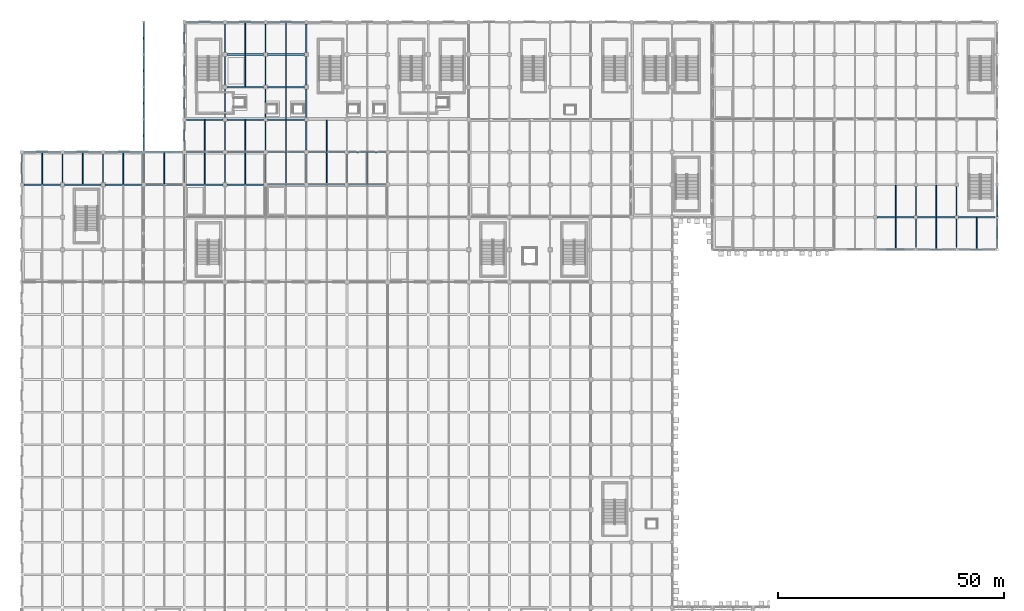
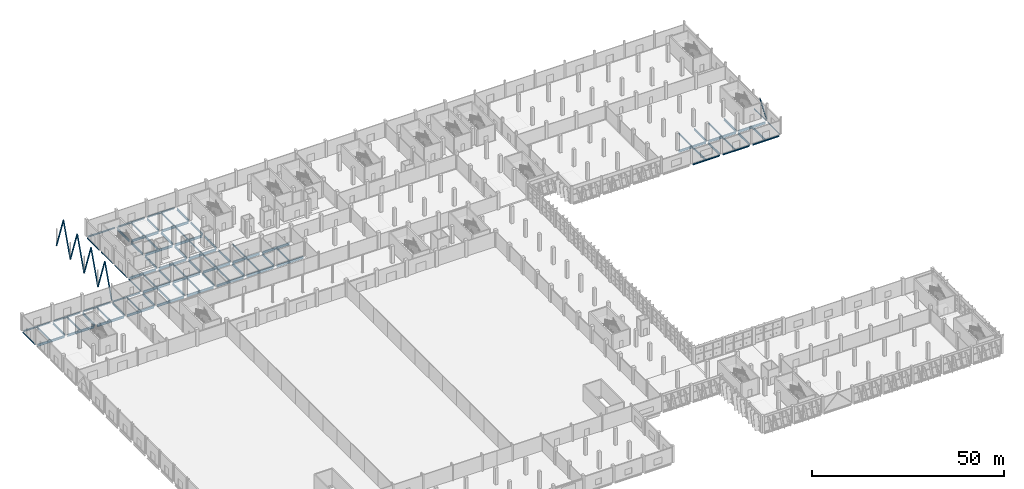
# One storey, part 68 of 137: 88 beams, 9 members.
"""IFC4 building model written with IfcOpenShell, lengths in metres."""

from ifc_helpers import new_model, si_unit, direction, frame, origin, origin_2d, place, context, subcontext, project, spatial, hollow_rectangle, hollow_circle, i_section, extrude, material, material_profile, profile_set, type_object, element, save


model = new_model("IFC4")

# Units and contexts
model_context = context("Model", 3, precision=1e-05, world=origin(), true_north=direction((0.0, 1.0)))
body_context = subcontext(model_context, "Body", "Model", "MODEL_VIEW")
ifc_project = project(units=[si_unit("LENGTHUNIT", "METRE"), si_unit("AREAUNIT", "SQUARE_METRE"), si_unit("VOLUMEUNIT", "CUBIC_METRE"), si_unit("PLANEANGLEUNIT", "RADIAN"), si_unit("MASSUNIT", "GRAM", prefix="KILO")], contexts=[model_context])

# Site, building, storey
site_placement = place(None, origin())
site = spatial("IfcSite", under=ifc_project, at=site_placement, CompositionType="ELEMENT")
building_placement = place(site_placement, origin())
building = spatial("IfcBuilding", under=site, at=building_placement, Name="Celestram Park Convention Centre", CompositionType="ELEMENT")
storey_placement = place(building_placement, origin())
storey = spatial("IfcBuildingStorey", under=building, at=storey_placement, Name="L00", CompositionType="ELEMENT", Elevation=0.0)

# Beams
ifc_material_1 = material(Name="Steel ASTM A992 Grade 50", Category="steel")
ifc_material_profile_1 = material_profile(ifc_material_1, i_section(OverallWidth=0.35595703125, OverallDepth=0.696044921875, WebThickness=0.015380859375, FlangeThickness=0.02490234375, at=origin_2d()), Name="W27X146")
ifc_profile_set_1 = profile_set([ifc_material_profile_1], Name="Steel ASTM A992 Grade 50")
beam_type_1 = type_object("IfcBeamType", Name="STR-BM-W27X146", PredefinedType="BEAM", material=ifc_profile_set_1)
for number, where, z_axis, x_axis, name in (
    (1, (0.447998046875, 129.60009765625, -0.66796875), (1.0, 0.0, 0.0), (0.0, 1.0, 0.0), "Primary X-girder BG-L00-0031"),
    (2, (9.447998046875, 129.60009765625, -0.66796875), (1.0, 0.0, 0.0), (0.0, 1.0, 0.0), "Primary X-girder BG-L00-0063"),
    (3, (18.447998046875, 129.60009765625, -0.66796875), (1.0, 0.0, 0.0), (0.0, 1.0, 0.0), "Primary X-girder BG-L00-0096"),
    (4, (27.447998046875, 129.60009765625, -0.66796875), (1.0, 0.0, 0.0), (0.0, 1.0, 0.0), "Primary X-girder BG-L00-0128"),
    (5, (36.447998046875, 129.60009765625, -0.66796875), (1.0, 0.0, 0.0), (0.0, 1.0, 0.0), "Primary X-girder BG-L00-0166"),
    (6, (36.447998046875, 136.800048828125, -0.66796875), (1.0, 0.0, 0.0), (0.0, 1.0, 0.0), "Primary X-girder BG-L00-0168"),
    (7, (36.447998046875, 144.0, -0.66796875), (1.0, 0.0, 0.0), (0.0, 1.0, 0.0), "Primary X-girder BG-L00-0170"),
    (8, (45.447998046875, 129.60009765625, -0.66796875), (1.0, 0.0, 0.0), (0.0, 1.0, 0.0), "Primary X-girder BG-L00-0211"),
    (9, (45.447998046875, 136.800048828125, -0.66796875), (1.0, 0.0, 0.0), (0.0, 1.0, 0.0), "Primary X-girder BG-L00-0213"),
    (10, (45.447998046875, 144.0, -0.66796875), (1.0, 0.0, 0.0), (0.0, 1.0, 0.0), "Primary X-girder BG-L00-0215"),
    (11, (45.447998046875, 151.199951171875, -0.66796875), (1.0, 0.0, 0.0), (0.0, 1.0, 0.0), "Primary X-girder BG-L00-0217"),
    (12, (45.447998046875, 158.39990234375, -0.66796875), (1.0, 0.0, 0.0), (0.0, 1.0, 0.0), "Primary X-girder BG-L00-0219"),
    (13, (54.447998046875, 129.60009765625, -0.66796875), (1.0, 0.0, 0.0), (0.0, 1.0, 0.0), "Primary X-girder BG-L00-0258"),
    (14, (54.447998046875, 136.800048828125, -0.66796875), (1.0, 0.0, 0.0), (0.0, 1.0, 0.0), "Primary X-girder BG-L00-0260"),
    (15, (54.447998046875, 144.0, -0.66796875), (1.0, 0.0, 0.0), (0.0, 1.0, 0.0), "Primary X-girder BG-L00-0262"),
    (16, (54.447998046875, 151.199951171875, -0.66796875), (1.0, 0.0, 0.0), (0.0, 1.0, 0.0), "Primary X-girder BG-L00-0264"),
    (17, (54.447998046875, 158.39990234375, -0.66796875), (1.0, 0.0, 0.0), (0.0, 1.0, 0.0), "Primary X-girder BG-L00-0266"),
    (18, (63.447998046875, 129.60009765625, -0.66796875), (1.0, 0.0, 0.0), (0.0, 1.0, 0.0), "Primary X-girder BG-L00-0305"),
    (19, (63.447998046875, 136.800048828125, -0.66796875), (1.0, 0.0, 0.0), (0.0, 1.0, 0.0), "Primary X-girder BG-L00-0307"),
    (20, (72.447998046875, 129.60009765625, -0.66796875), (1.0, 0.0, 0.0), (0.0, 1.0, 0.0), "Primary X-girder BG-L00-0350"),
    (21, (72.447998046875, 136.800048828125, -0.66796875), (1.0, 0.0, 0.0), (0.0, 1.0, 0.0), "Primary X-girder BG-L00-0352"),
):
    element("IfcBeam", number, at=place(storey_placement, frame(where, z_axis=z_axis, x_axis=x_axis)), inside=storey, type_object=beam_type_1, Name=name, PredefinedType="BEAM", context=body_context, shape_type="SweptSolid", body=[
        extrude(i_section(OverallWidth=0.35595703125, OverallDepth=0.696044921875, WebThickness=0.015380859375, FlangeThickness=0.02490234375, at=origin_2d()), origin(), (0.0, 0.0, 1.0), 8.10400390625),
    ])
for number, where, z_axis, x_axis, name in (
    (22, (189.39794921875, 122.39990234375, -0.66796875), (1.0, 0.0, 0.0), (0.0, 1.0, 0.0), "Primary X-girder BG-L00-0808"),
    (23, (198.39794921875, 122.39990234375, -0.66796875), (1.0, 0.0, 0.0), (0.0, 1.0, 0.0), "Primary X-girder BG-L00-0834"),
):
    element("IfcBeam", number, at=place(storey_placement, frame(where, z_axis=z_axis, x_axis=x_axis)), inside=storey, type_object=beam_type_1, Name=name, PredefinedType="BEAM", context=body_context, shape_type="SweptSolid", body=[
        extrude(i_section(OverallWidth=0.35595703125, OverallDepth=0.696044921875, WebThickness=0.015380859375, FlangeThickness=0.02490234375, at=origin_2d()), origin(), (0.0, 0.0, 1.0), 8.2041015625),
    ])
beam_1_placement = place(storey_placement, frame((207.39794921875, 122.39990234375, -0.66796875), z_axis=(1.0, 0.0, 0.0), x_axis=(0.0, 1.0, 0.0)))
element("IfcBeam", 24, at=beam_1_placement, inside=storey, type_object=beam_type_1, Name="Primary X-girder BG-L00-0858", PredefinedType="BEAM", context=body_context, shape_type="SweptSolid", body=[
    extrude(i_section(OverallWidth=0.35595703125, OverallDepth=0.696044921875, WebThickness=0.015380859375, FlangeThickness=0.02490234375, at=origin_2d()), origin(), (0.0, 0.0, 1.0), 8.10400390625),
])
ifc_material_profile_2 = material_profile(ifc_material_1, i_section(OverallWidth=0.25390625, OverallDepth=0.68310546875, WebThickness=0.012451171875, FlangeThickness=0.01904296875, at=origin_2d()), Name="W27X94")
ifc_profile_set_2 = profile_set([ifc_material_profile_2], Name="Steel ASTM A992 Grade 50")
beam_type_2 = type_object("IfcBeamType", Name="STR-BM-W27X94", PredefinedType="BEAM", material=ifc_profile_set_2)
for number, where, z_axis, x_axis, name in (
    (25, (9.0, 130.048095703125, -0.66162109375), (0.0, 1.0, 0.0), (-1.0, 0.0, 0.0), "Primary Y-girder BG-L00-0064"),
    (26, (18.0, 130.048095703125, -0.66162109375), (0.0, 1.0, 0.0), (-1.0, 0.0, 0.0), "Primary Y-girder BG-L00-0097"),
):
    element("IfcBeam", number, at=place(storey_placement, frame(where, z_axis=z_axis, x_axis=x_axis)), inside=storey, type_object=beam_type_2, Name=name, PredefinedType="BEAM", context=body_context, shape_type="SweptSolid", body=[
        extrude(i_section(OverallWidth=0.25390625, OverallDepth=0.68310546875, WebThickness=0.012451171875, FlangeThickness=0.01904296875, at=origin_2d()), origin(), (0.0, 0.0, 1.0), 6.303955078125),
    ])
beam_2_placement = place(storey_placement, frame((27.0, 130.048095703125, -0.66162109375), z_axis=(0.0, 1.0, 0.0), x_axis=(-1.0, 0.0, 0.0)))
element("IfcBeam", 27, at=beam_2_placement, inside=storey, type_object=beam_type_2, Name="Primary Y-girder BG-L00-0129", PredefinedType="BEAM", context=body_context, shape_type="SweptSolid", body=[
    extrude(i_section(OverallWidth=0.25390625, OverallDepth=0.68310546875, WebThickness=0.012451171875, FlangeThickness=0.01904296875, at=origin_2d()), origin(), (0.0, 0.0, 1.0), 6.37890625),
])
for number, where, z_axis, x_axis, name in (
    (28, (36.0, 130.048095703125, -0.66162109375), (0.0, 1.0, 0.0), (-1.0, 0.0, 0.0), "Primary Y-girder BG-L00-0167"),
    (29, (45.0, 130.048095703125, -0.66162109375), (0.0, 1.0, 0.0), (-1.0, 0.0, 0.0), "Primary Y-girder BG-L00-0212"),
    (30, (45.0, 137.248046875, -0.66162109375), (0.0, 1.0, 0.0), (-1.0, 0.0, 0.0), "Primary Y-girder BG-L00-0214"),
    (31, (45.0, 144.447998046875, -0.66162109375), (0.0, 1.0, 0.0), (-1.0, 0.0, 0.0), "Primary Y-girder BG-L00-0216"),
    (32, (45.0, 151.64794921875, -0.66162109375), (0.0, 1.0, 0.0), (-1.0, 0.0, 0.0), "Primary Y-girder BG-L00-0218"),
):
    element("IfcBeam", number, at=place(storey_placement, frame(where, z_axis=z_axis, x_axis=x_axis)), inside=storey, type_object=beam_type_2, Name=name, PredefinedType="BEAM", context=body_context, shape_type="SweptSolid", body=[
        extrude(i_section(OverallWidth=0.25390625, OverallDepth=0.68310546875, WebThickness=0.012451171875, FlangeThickness=0.01904296875, at=origin_2d()), origin(), (0.0, 0.0, 1.0), 6.303955078125),
    ])
beam_3_placement = place(storey_placement, frame((45.0, 158.847900390625, -0.66162109375), z_axis=(0.0, 1.0, 0.0), x_axis=(-1.0, 0.0, 0.0)))
element("IfcBeam", 33, at=beam_3_placement, inside=storey, type_object=beam_type_2, Name="Primary Y-girder BG-L00-0220", PredefinedType="BEAM", context=body_context, shape_type="SweptSolid", body=[
    extrude(i_section(OverallWidth=0.25390625, OverallDepth=0.68310546875, WebThickness=0.012451171875, FlangeThickness=0.01904296875, at=origin_2d()), origin(), (0.0, 0.0, 1.0), 6.30419921875),
])
for number, where, z_axis, x_axis, name in (
    (34, (54.0, 130.048095703125, -0.66162109375), (0.0, 1.0, 0.0), (-1.0, 0.0, 0.0), "Primary Y-girder BG-L00-0259"),
    (35, (54.0, 137.248046875, -0.66162109375), (0.0, 1.0, 0.0), (-1.0, 0.0, 0.0), "Primary Y-girder BG-L00-0261"),
    (36, (54.0, 144.447998046875, -0.66162109375), (0.0, 1.0, 0.0), (-1.0, 0.0, 0.0), "Primary Y-girder BG-L00-0263"),
    (37, (54.0, 151.64794921875, -0.66162109375), (0.0, 1.0, 0.0), (-1.0, 0.0, 0.0), "Primary Y-girder BG-L00-0265"),
):
    element("IfcBeam", number, at=place(storey_placement, frame(where, z_axis=z_axis, x_axis=x_axis)), inside=storey, type_object=beam_type_2, Name=name, PredefinedType="BEAM", context=body_context, shape_type="SweptSolid", body=[
        extrude(i_section(OverallWidth=0.25390625, OverallDepth=0.68310546875, WebThickness=0.012451171875, FlangeThickness=0.01904296875, at=origin_2d()), origin(), (0.0, 0.0, 1.0), 6.303955078125),
    ])
beam_4_placement = place(storey_placement, frame((54.0, 158.847900390625, -0.66162109375), z_axis=(0.0, 1.0, 0.0), x_axis=(-1.0, 0.0, 0.0)))
element("IfcBeam", 38, at=beam_4_placement, inside=storey, type_object=beam_type_2, Name="Primary Y-girder BG-L00-0267", PredefinedType="BEAM", context=body_context, shape_type="SweptSolid", body=[
    extrude(i_section(OverallWidth=0.25390625, OverallDepth=0.68310546875, WebThickness=0.012451171875, FlangeThickness=0.01904296875, at=origin_2d()), origin(), (0.0, 0.0, 1.0), 6.30419921875),
])
for number, where, z_axis, x_axis, name in (
    (39, (63.0, 130.048095703125, -0.66162109375), (0.0, 1.0, 0.0), (-1.0, 0.0, 0.0), "Primary Y-girder BG-L00-0306"),
    (40, (63.0, 137.248046875, -0.66162109375), (0.0, 1.0, 0.0), (-1.0, 0.0, 0.0), "Primary Y-girder BG-L00-0308"),
    (41, (63.0, 144.447998046875, -0.66162109375), (0.0, 1.0, 0.0), (-1.0, 0.0, 0.0), "Primary Y-girder BG-L00-0310"),
    (42, (63.0, 151.64794921875, -0.66162109375), (0.0, 1.0, 0.0), (-1.0, 0.0, 0.0), "Primary Y-girder BG-L00-0311"),
):
    element("IfcBeam", number, at=place(storey_placement, frame(where, z_axis=z_axis, x_axis=x_axis)), inside=storey, type_object=beam_type_2, Name=name, PredefinedType="BEAM", context=body_context, shape_type="SweptSolid", body=[
        extrude(i_section(OverallWidth=0.25390625, OverallDepth=0.68310546875, WebThickness=0.012451171875, FlangeThickness=0.01904296875, at=origin_2d()), origin(), (0.0, 0.0, 1.0), 6.303955078125),
    ])
beam_5_placement = place(storey_placement, frame((63.0, 158.847900390625, -0.66162109375), z_axis=(0.0, 1.0, 0.0), x_axis=(-1.0, 0.0, 0.0)))
element("IfcBeam", 43, at=beam_5_placement, inside=storey, type_object=beam_type_2, Name="Primary Y-girder BG-L00-0312", PredefinedType="BEAM", context=body_context, shape_type="SweptSolid", body=[
    extrude(i_section(OverallWidth=0.25390625, OverallDepth=0.68310546875, WebThickness=0.012451171875, FlangeThickness=0.01904296875, at=origin_2d()), origin(), (0.0, 0.0, 1.0), 6.30419921875),
])
for number, where, z_axis, x_axis, name in (
    (44, (72.0, 130.048095703125, -0.66162109375), (0.0, 1.0, 0.0), (-1.0, 0.0, 0.0), "Primary Y-girder BG-L00-0351"),
    (45, (198.0, 115.697998046875, -0.66162109375), (0.0, 1.0, 0.0), (-1.0, 0.0, 0.0), "Primary Y-girder BG-L00-0833"),
):
    element("IfcBeam", number, at=place(storey_placement, frame(where, z_axis=z_axis, x_axis=x_axis)), inside=storey, type_object=beam_type_2, Name=name, PredefinedType="BEAM", context=body_context, shape_type="SweptSolid", body=[
        extrude(i_section(OverallWidth=0.25390625, OverallDepth=0.68310546875, WebThickness=0.012451171875, FlangeThickness=0.01904296875, at=origin_2d()), origin(), (0.0, 0.0, 1.0), 6.303955078125),
    ])
beam_6_placement = place(storey_placement, frame((198.0, 122.798095703125, -0.66162109375), z_axis=(0.0, 1.0, 0.0), x_axis=(-1.0, 0.0, 0.0)))
element("IfcBeam", 46, at=beam_6_placement, inside=storey, type_object=beam_type_2, Name="Primary Y-girder BG-L00-0835", PredefinedType="BEAM", context=body_context, shape_type="SweptSolid", body=[
    extrude(i_section(OverallWidth=0.25390625, OverallDepth=0.68310546875, WebThickness=0.012451171875, FlangeThickness=0.01904296875, at=origin_2d()), origin(), (0.0, 0.0, 1.0), 6.40380859375),
])
beam_7_placement = place(storey_placement, frame((207.0, 115.697998046875, -0.66162109375), z_axis=(0.0, 1.0, 0.0), x_axis=(-1.0, 0.0, 0.0)))
element("IfcBeam", 47, at=beam_7_placement, inside=storey, type_object=beam_type_2, Name="Primary Y-girder BG-L00-0857", PredefinedType="BEAM", context=body_context, shape_type="SweptSolid", body=[
    extrude(i_section(OverallWidth=0.25390625, OverallDepth=0.68310546875, WebThickness=0.012451171875, FlangeThickness=0.01904296875, at=origin_2d()), origin(), (0.0, 0.0, 1.0), 6.303955078125),
])
beam_8_placement = place(storey_placement, frame((207.0, 122.798095703125, -0.66162109375), z_axis=(0.0, 1.0, 0.0), x_axis=(-1.0, 0.0, 0.0)))
element("IfcBeam", 48, at=beam_8_placement, inside=storey, type_object=beam_type_2, Name="Primary Y-girder BG-L00-0859", PredefinedType="BEAM", context=body_context, shape_type="SweptSolid", body=[
    extrude(i_section(OverallWidth=0.25390625, OverallDepth=0.68310546875, WebThickness=0.012451171875, FlangeThickness=0.01904296875, at=origin_2d()), origin(), (0.0, 0.0, 1.0), 6.40380859375),
])

# Member
ifc_material_2 = material(Name="Steel ASTM A500 Grade C", Category="steel")
ifc_material_profile_3 = material_profile(ifc_material_2, hollow_circle(Radius=0.177978515625, WallThickness=0.011962890625, at=origin_2d()), Name="CHS356X12")
ifc_profile_set_3 = profile_set([ifc_material_profile_3], Name="Steel ASTM A500 Grade C")
member_type_1 = type_object("IfcMemberType", Name="STR-BRC-CHS356", PredefinedType="BRACE", material=ifc_profile_set_3)
member_placement = place(storey_placement, frame((216.0, 122.52001953125, 0.14990234375), z_axis=(0.0, 0.607508638933, 0.794313070282), x_axis=(-1.0, 0.0, 0.0)))
element("IfcMember", 49, at=member_placement, inside=storey, type_object=member_type_1, Name="Chevron braced-frame diagonal BF-L00-009", PredefinedType="BRACE", context=body_context, shape_type="SweptSolid", body=[
    extrude(hollow_circle(Radius=0.177978515625, WallThickness=0.011962890625, at=origin_2d()), origin(), (0.0, 0.0, 1.0), 5.728271484375),
])

# Beams
ifc_material_profile_4 = material_profile(ifc_material_1, i_section(OverallWidth=0.2099609375, OverallDepth=0.532958984375, WebThickness=0.01025390625, FlangeThickness=0.015625, at=origin_2d()), Name="W21X62")
ifc_profile_set_4 = profile_set([ifc_material_profile_4], Name="Steel ASTM A992 Grade 50")
beam_type_3 = type_object("IfcBeamType", Name="STR-JST-W21X62", PredefinedType="JOIST", material=ifc_profile_set_4)
for number, where, z_axis, x_axis, name in (
    (50, (4.5, 129.77392578125, -0.58642578125), (0.0, 1.0, 0.0), (-1.0, 0.0, 0.0), "Secondary composite joist BG-L00-0895"),
    (51, (13.5, 129.77392578125, -0.58642578125), (0.0, 1.0, 0.0), (-1.0, 0.0, 0.0), "Secondary composite joist BG-L00-0909"),
    (52, (22.5, 129.77392578125, -0.58642578125), (0.0, 1.0, 0.0), (-1.0, 0.0, 0.0), "Secondary composite joist BG-L00-0925"),
    (53, (31.5, 129.77392578125, -0.58642578125), (0.0, 1.0, 0.0), (-1.0, 0.0, 0.0), "Secondary composite joist BG-L00-0939"),
):
    element("IfcBeam", number, at=place(storey_placement, frame(where, z_axis=z_axis, x_axis=x_axis)), inside=storey, type_object=beam_type_3, Name=name, PredefinedType="JOIST", context=body_context, shape_type="SweptSolid", body=[
        extrude(i_section(OverallWidth=0.2099609375, OverallDepth=0.532958984375, WebThickness=0.01025390625, FlangeThickness=0.015625, at=origin_2d()), origin(), (0.0, 0.0, 1.0), 6.843994140625),
    ])
beam_9_placement = place(storey_placement, frame((40.5, 129.77392578125, -0.58642578125), z_axis=(0.0, 1.0, 0.0), x_axis=(-1.0, 0.0, 0.0)))
element("IfcBeam", 54, at=beam_9_placement, inside=storey, type_object=beam_type_3, Name="Secondary composite joist BG-L00-0956", PredefinedType="JOIST", context=body_context, shape_type="SweptSolid", body=[
    extrude(i_section(OverallWidth=0.2099609375, OverallDepth=0.532958984375, WebThickness=0.01025390625, FlangeThickness=0.015625, at=origin_2d()), origin(), (0.0, 0.0, 1.0), 6.85205078125),
])
beam_10_placement = place(storey_placement, frame((40.5, 136.97412109375, -0.58642578125), z_axis=(0.0, 1.0, 0.0), x_axis=(-1.0, 0.0, 0.0)))
element("IfcBeam", 55, at=beam_10_placement, inside=storey, type_object=beam_type_3, Name="Secondary composite joist BG-L00-0957", PredefinedType="JOIST", context=body_context, shape_type="SweptSolid", body=[
    extrude(i_section(OverallWidth=0.2099609375, OverallDepth=0.532958984375, WebThickness=0.01025390625, FlangeThickness=0.015625, at=origin_2d()), origin(), (0.0, 0.0, 1.0), 6.851806640625),
])
beam_11_placement = place(storey_placement, frame((49.5, 129.77392578125, -0.58642578125), z_axis=(0.0, 1.0, 0.0), x_axis=(-1.0, 0.0, 0.0)))
element("IfcBeam", 56, at=beam_11_placement, inside=storey, type_object=beam_type_3, Name="Secondary composite joist BG-L00-0976", PredefinedType="JOIST", context=body_context, shape_type="SweptSolid", body=[
    extrude(i_section(OverallWidth=0.2099609375, OverallDepth=0.532958984375, WebThickness=0.01025390625, FlangeThickness=0.015625, at=origin_2d()), origin(), (0.0, 0.0, 1.0), 6.85205078125),
])
beam_12_placement = place(storey_placement, frame((49.5, 136.97412109375, -0.58642578125), z_axis=(0.0, 1.0, 0.0), x_axis=(-1.0, 0.0, 0.0)))
element("IfcBeam", 57, at=beam_12_placement, inside=storey, type_object=beam_type_3, Name="Secondary composite joist BG-L00-0977", PredefinedType="JOIST", context=body_context, shape_type="SweptSolid", body=[
    extrude(i_section(OverallWidth=0.2099609375, OverallDepth=0.532958984375, WebThickness=0.01025390625, FlangeThickness=0.015625, at=origin_2d()), origin(), (0.0, 0.0, 1.0), 6.851806640625),
])
beam_13_placement = place(storey_placement, frame((49.5, 151.3740234375, -0.58642578125), z_axis=(0.0, 1.0, 0.0), x_axis=(-1.0, 0.0, 0.0)))
element("IfcBeam", 58, at=beam_13_placement, inside=storey, type_object=beam_type_3, Name="Secondary composite joist BG-L00-0978", PredefinedType="JOIST", context=body_context, shape_type="SweptSolid", body=[
    extrude(i_section(OverallWidth=0.2099609375, OverallDepth=0.532958984375, WebThickness=0.01025390625, FlangeThickness=0.015625, at=origin_2d()), origin(), (0.0, 0.0, 1.0), 6.85205078125),
])
beam_14_placement = place(storey_placement, frame((49.5, 158.573974609375, -0.58642578125), z_axis=(0.0, 1.0, 0.0), x_axis=(-1.0, 0.0, 0.0)))
element("IfcBeam", 59, at=beam_14_placement, inside=storey, type_object=beam_type_3, Name="Secondary composite joist BG-L00-0979", PredefinedType="JOIST", context=body_context, shape_type="SweptSolid", body=[
    extrude(i_section(OverallWidth=0.2099609375, OverallDepth=0.532958984375, WebThickness=0.01025390625, FlangeThickness=0.015625, at=origin_2d()), origin(), (0.0, 0.0, 1.0), 6.843994140625),
])
beam_15_placement = place(storey_placement, frame((58.5, 129.77392578125, -0.58642578125), z_axis=(0.0, 1.0, 0.0), x_axis=(-1.0, 0.0, 0.0)))
element("IfcBeam", 60, at=beam_15_placement, inside=storey, type_object=beam_type_3, Name="Secondary composite joist BG-L00-0998", PredefinedType="JOIST", context=body_context, shape_type="SweptSolid", body=[
    extrude(i_section(OverallWidth=0.2099609375, OverallDepth=0.532958984375, WebThickness=0.01025390625, FlangeThickness=0.015625, at=origin_2d()), origin(), (0.0, 0.0, 1.0), 6.85205078125),
])
for number, where, z_axis, x_axis, name in (
    (61, (58.5, 136.97412109375, -0.58642578125), (0.0, 1.0, 0.0), (-1.0, 0.0, 0.0), "Secondary composite joist BG-L00-0999"),
    (62, (58.5, 144.174072265625, -0.58642578125), (0.0, 1.0, 0.0), (-1.0, 0.0, 0.0), "Secondary composite joist BG-L00-1000"),
):
    element("IfcBeam", number, at=place(storey_placement, frame(where, z_axis=z_axis, x_axis=x_axis)), inside=storey, type_object=beam_type_3, Name=name, PredefinedType="JOIST", context=body_context, shape_type="SweptSolid", body=[
        extrude(i_section(OverallWidth=0.2099609375, OverallDepth=0.532958984375, WebThickness=0.01025390625, FlangeThickness=0.015625, at=origin_2d()), origin(), (0.0, 0.0, 1.0), 6.851806640625),
    ])
beam_16_placement = place(storey_placement, frame((58.5, 151.3740234375, -0.58642578125), z_axis=(0.0, 1.0, 0.0), x_axis=(-1.0, 0.0, 0.0)))
element("IfcBeam", 63, at=beam_16_placement, inside=storey, type_object=beam_type_3, Name="Secondary composite joist BG-L00-1001", PredefinedType="JOIST", context=body_context, shape_type="SweptSolid", body=[
    extrude(i_section(OverallWidth=0.2099609375, OverallDepth=0.532958984375, WebThickness=0.01025390625, FlangeThickness=0.015625, at=origin_2d()), origin(), (0.0, 0.0, 1.0), 6.85205078125),
])
beam_17_placement = place(storey_placement, frame((58.5, 158.573974609375, -0.58642578125), z_axis=(0.0, 1.0, 0.0), x_axis=(-1.0, 0.0, 0.0)))
element("IfcBeam", 64, at=beam_17_placement, inside=storey, type_object=beam_type_3, Name="Secondary composite joist BG-L00-1002", PredefinedType="JOIST", context=body_context, shape_type="SweptSolid", body=[
    extrude(i_section(OverallWidth=0.2099609375, OverallDepth=0.532958984375, WebThickness=0.01025390625, FlangeThickness=0.015625, at=origin_2d()), origin(), (0.0, 0.0, 1.0), 6.843994140625),
])
beam_18_placement = place(storey_placement, frame((67.5, 129.77392578125, -0.58642578125), z_axis=(0.0, 1.0, 0.0), x_axis=(-1.0, 0.0, 0.0)))
element("IfcBeam", 65, at=beam_18_placement, inside=storey, type_object=beam_type_3, Name="Secondary composite joist BG-L00-1021", PredefinedType="JOIST", context=body_context, shape_type="SweptSolid", body=[
    extrude(i_section(OverallWidth=0.2099609375, OverallDepth=0.532958984375, WebThickness=0.01025390625, FlangeThickness=0.015625, at=origin_2d()), origin(), (0.0, 0.0, 1.0), 6.85205078125),
])
beam_19_placement = place(storey_placement, frame((67.5, 136.97412109375, -0.58642578125), z_axis=(0.0, 1.0, 0.0), x_axis=(-1.0, 0.0, 0.0)))
element("IfcBeam", 66, at=beam_19_placement, inside=storey, type_object=beam_type_3, Name="Secondary composite joist BG-L00-1022", PredefinedType="JOIST", context=body_context, shape_type="SweptSolid", body=[
    extrude(i_section(OverallWidth=0.2099609375, OverallDepth=0.532958984375, WebThickness=0.01025390625, FlangeThickness=0.015625, at=origin_2d()), origin(), (0.0, 0.0, 1.0), 6.851806640625),
])
beam_20_placement = place(storey_placement, frame((76.5, 129.77392578125, -0.58642578125), z_axis=(0.0, 1.0, 0.0), x_axis=(-1.0, 0.0, 0.0)))
element("IfcBeam", 67, at=beam_20_placement, inside=storey, type_object=beam_type_3, Name="Secondary composite joist BG-L00-1041", PredefinedType="JOIST", context=body_context, shape_type="SweptSolid", body=[
    extrude(i_section(OverallWidth=0.2099609375, OverallDepth=0.532958984375, WebThickness=0.01025390625, FlangeThickness=0.015625, at=origin_2d()), origin(), (0.0, 0.0, 1.0), 6.85205078125),
])
beam_21_placement = place(storey_placement, frame((193.5, 115.382080078125, -0.58642578125), z_axis=(0.0, 1.0, 0.0), x_axis=(-1.0, 0.0, 0.0)))
element("IfcBeam", 68, at=beam_21_placement, inside=storey, type_object=beam_type_3, Name="Secondary composite joist BG-L00-1225", PredefinedType="JOIST", context=body_context, shape_type="SweptSolid", body=[
    extrude(i_section(OverallWidth=0.2099609375, OverallDepth=0.532958984375, WebThickness=0.01025390625, FlangeThickness=0.015625, at=origin_2d()), origin(), (0.0, 0.0, 1.0), 6.843994140625),
])
beam_22_placement = place(storey_placement, frame((193.5, 122.573974609375, -0.58642578125), z_axis=(0.0, 1.0, 0.0), x_axis=(-1.0, 0.0, 0.0)))
element("IfcBeam", 69, at=beam_22_placement, inside=storey, type_object=beam_type_3, Name="Secondary composite joist BG-L00-1226", PredefinedType="JOIST", context=body_context, shape_type="SweptSolid", body=[
    extrude(i_section(OverallWidth=0.2099609375, OverallDepth=0.532958984375, WebThickness=0.01025390625, FlangeThickness=0.015625, at=origin_2d()), origin(), (0.0, 0.0, 1.0), 6.85205078125),
])
beam_23_placement = place(storey_placement, frame((202.5, 115.382080078125, -0.58642578125), z_axis=(0.0, 1.0, 0.0), x_axis=(-1.0, 0.0, 0.0)))
element("IfcBeam", 70, at=beam_23_placement, inside=storey, type_object=beam_type_3, Name="Secondary composite joist BG-L00-1237", PredefinedType="JOIST", context=body_context, shape_type="SweptSolid", body=[
    extrude(i_section(OverallWidth=0.2099609375, OverallDepth=0.532958984375, WebThickness=0.01025390625, FlangeThickness=0.015625, at=origin_2d()), origin(), (0.0, 0.0, 1.0), 6.843994140625),
])
beam_24_placement = place(storey_placement, frame((202.5, 122.573974609375, -0.58642578125), z_axis=(0.0, 1.0, 0.0), x_axis=(-1.0, 0.0, 0.0)))
element("IfcBeam", 71, at=beam_24_placement, inside=storey, type_object=beam_type_3, Name="Secondary composite joist BG-L00-1238", PredefinedType="JOIST", context=body_context, shape_type="SweptSolid", body=[
    extrude(i_section(OverallWidth=0.2099609375, OverallDepth=0.532958984375, WebThickness=0.01025390625, FlangeThickness=0.015625, at=origin_2d()), origin(), (0.0, 0.0, 1.0), 6.85205078125),
])
beam_25_placement = place(storey_placement, frame((211.5, 115.382080078125, -0.58642578125), z_axis=(0.0, 1.0, 0.0), x_axis=(-1.0, 0.0, 0.0)))
element("IfcBeam", 72, at=beam_25_placement, inside=storey, type_object=beam_type_3, Name="Secondary composite joist BG-L00-1245", PredefinedType="JOIST", context=body_context, shape_type="SweptSolid", body=[
    extrude(i_section(OverallWidth=0.2099609375, OverallDepth=0.532958984375, WebThickness=0.01025390625, FlangeThickness=0.015625, at=origin_2d()), origin(), (0.0, 0.0, 1.0), 6.843994140625),
])
ifc_material_profile_5 = material_profile(ifc_material_2, hollow_rectangle(XDim=0.199951171875, YDim=0.300048828125, WallThickness=0.011962890625, at=origin_2d()), Name="HSS300X200X12")
ifc_profile_set_5 = profile_set([ifc_material_profile_5], Name="Steel ASTM A500 Grade C")
beam_type_4 = type_object("IfcBeamType", Name="STR-SPN-HSS300X200", PredefinedType="SPANDREL", material=ifc_profile_set_5)
for number, where, z_axis, x_axis, name in (
    (73, (0.0, 130.048095703125, -0.469970703125), (0.0, 1.0, 0.0), (-1.0, 0.0, 0.0), "Primary Y-girder BG-L00-0032"),
    (74, (36.0, 137.248046875, -0.469970703125), (0.0, 1.0, 0.0), (-1.0, 0.0, 0.0), "Primary Y-girder BG-L00-0169"),
    (75, (36.0, 144.447998046875, -0.469970703125), (0.0, 1.0, 0.0), (-1.0, 0.0, 0.0), "Primary Y-girder BG-L00-0171"),
    (76, (36.0, 151.64794921875, -0.469970703125), (0.0, 1.0, 0.0), (-1.0, 0.0, 0.0), "Primary Y-girder BG-L00-0172"),
):
    element("IfcBeam", number, at=place(storey_placement, frame(where, z_axis=z_axis, x_axis=x_axis)), inside=storey, type_object=beam_type_4, Name=name, PredefinedType="SPANDREL", context=body_context, shape_type="SweptSolid", body=[
        extrude(hollow_rectangle(XDim=0.199951171875, YDim=0.300048828125, WallThickness=0.011962890625, at=origin_2d()), origin(), (0.0, 0.0, 1.0), 6.303955078125),
    ])
beam_26_placement = place(storey_placement, frame((36.0, 158.847900390625, -0.469970703125), z_axis=(0.0, 1.0, 0.0), x_axis=(-1.0, 0.0, 0.0)))
element("IfcBeam", 77, at=beam_26_placement, inside=storey, type_object=beam_type_4, Name="Primary Y-girder BG-L00-0173", PredefinedType="SPANDREL", context=body_context, shape_type="SweptSolid", body=[
    extrude(hollow_rectangle(XDim=0.199951171875, YDim=0.300048828125, WallThickness=0.011962890625, at=origin_2d()), origin(), (0.0, 0.0, 1.0), 6.30419921875),
])
for number, where, z_axis, x_axis, name in (
    (78, (216.0, 115.697998046875, -0.469970703125), (0.0, 1.0, 0.0), (-1.0, 0.0, 0.0), "Primary Y-girder BG-L00-0873"),
    (79, (216.0, 122.89794921875, -0.469970703125), (0.0, 1.0, 0.0), (-1.0, 0.0, 0.0), "Primary Y-girder BG-L00-0874"),
):
    element("IfcBeam", number, at=place(storey_placement, frame(where, z_axis=z_axis, x_axis=x_axis)), inside=storey, type_object=beam_type_4, Name=name, PredefinedType="SPANDREL", context=body_context, shape_type="SweptSolid", body=[
        extrude(hollow_rectangle(XDim=0.199951171875, YDim=0.300048828125, WallThickness=0.011962890625, at=origin_2d()), origin(), (0.0, 0.0, 1.0), 6.2041015625),
    ])
ifc_material_profile_6 = material_profile(ifc_material_1, i_section(OverallWidth=0.373046875, OverallDepth=0.373046875, WebThickness=0.016357421875, FlangeThickness=0.026123046875, at=origin_2d()), Name="W14X132")
ifc_profile_set_6 = profile_set([ifc_material_profile_6], Name="Steel ASTM A992 Grade 50")
beam_type_5 = type_object("IfcBeamType", Name="STR-SPN-W14X132", PredefinedType="SPANDREL", material=ifc_profile_set_6)
for number, where, z_axis, x_axis, name in (
    (80, (0.447998046875, 136.800048828125, -0.506591796875), (1.0, 0.0, 0.0), (0.0, 1.0, 0.0), "Primary X-girder BG-L00-0033"),
    (81, (9.447998046875, 136.800048828125, -0.506591796875), (1.0, 0.0, 0.0), (0.0, 1.0, 0.0), "Primary X-girder BG-L00-0065"),
):
    element("IfcBeam", number, at=place(storey_placement, frame(where, z_axis=z_axis, x_axis=x_axis)), inside=storey, type_object=beam_type_5, Name=name, PredefinedType="SPANDREL", context=body_context, shape_type="SweptSolid", body=[
        extrude(i_section(OverallWidth=0.373046875, OverallDepth=0.373046875, WebThickness=0.016357421875, FlangeThickness=0.026123046875, at=origin_2d()), origin(), (0.0, 0.0, 1.0), 8.10400390625),
    ])
for number, where, z_axis, x_axis, name in (
    (82, (18.447998046875, 136.800048828125, -0.506591796875), (1.0, 0.0, 0.0), (0.0, 1.0, 0.0), "Primary X-girder BG-L00-0098"),
    (83, (27.373046875, 136.800048828125, -0.506591796875), (1.0, 0.0, 0.0), (0.0, 1.0, 0.0), "Primary X-girder BG-L00-0130"),
):
    element("IfcBeam", number, at=place(storey_placement, frame(where, z_axis=z_axis, x_axis=x_axis)), inside=storey, type_object=beam_type_5, Name=name, PredefinedType="SPANDREL", context=body_context, shape_type="SweptSolid", body=[
        extrude(i_section(OverallWidth=0.373046875, OverallDepth=0.373046875, WebThickness=0.016357421875, FlangeThickness=0.026123046875, at=origin_2d()), origin(), (0.0, 0.0, 1.0), 8.178955078125),
    ])
for number, where, z_axis, x_axis, name in (
    (84, (36.447998046875, 165.60009765625, -0.506591796875), (1.0, 0.0, 0.0), (0.0, 1.0, 0.0), "Primary X-girder BG-L00-0174"),
    (85, (45.447998046875, 165.60009765625, -0.506591796875), (1.0, 0.0, 0.0), (0.0, 1.0, 0.0), "Primary X-girder BG-L00-0221"),
    (86, (54.447998046875, 165.60009765625, -0.506591796875), (1.0, 0.0, 0.0), (0.0, 1.0, 0.0), "Primary X-girder BG-L00-0268"),
):
    element("IfcBeam", number, at=place(storey_placement, frame(where, z_axis=z_axis, x_axis=x_axis)), inside=storey, type_object=beam_type_5, Name=name, PredefinedType="SPANDREL", context=body_context, shape_type="SweptSolid", body=[
        extrude(i_section(OverallWidth=0.373046875, OverallDepth=0.373046875, WebThickness=0.016357421875, FlangeThickness=0.026123046875, at=origin_2d()), origin(), (0.0, 0.0, 1.0), 8.10400390625),
    ])
for number, where, z_axis, x_axis, name in (
    (87, (189.498046875, 115.199951171875, -0.506591796875), (1.0, 0.0, 0.0), (0.0, 1.0, 0.0), "Primary X-girder BG-L00-0806"),
    (88, (198.498046875, 115.199951171875, -0.506591796875), (1.0, 0.0, 0.0), (0.0, 1.0, 0.0), "Primary X-girder BG-L00-0832"),
    (89, (207.498046875, 115.199951171875, -0.506591796875), (1.0, 0.0, 0.0), (0.0, 1.0, 0.0), "Primary X-girder BG-L00-0856"),
):
    element("IfcBeam", number, at=place(storey_placement, frame(where, z_axis=z_axis, x_axis=x_axis)), inside=storey, type_object=beam_type_5, Name=name, PredefinedType="SPANDREL", context=body_context, shape_type="SweptSolid", body=[
        extrude(i_section(OverallWidth=0.373046875, OverallDepth=0.373046875, WebThickness=0.016357421875, FlangeThickness=0.026123046875, at=origin_2d()), origin(), (0.0, 0.0, 1.0), 8.00390625),
    ])

# Members
ifc_material_profile_7 = material_profile(ifc_material_2, hollow_rectangle(XDim=0.300048828125, YDim=0.300048828125, WallThickness=0.01611328125, at=origin_2d()), Name="HSS300X300X16")
ifc_profile_set_7 = profile_set([ifc_material_profile_7], Name="Steel ASTM A500 Grade C")
member_type_2 = type_object("IfcMemberType", Name="STR-STR-HSS300", PredefinedType="STRUT", material=ifc_profile_set_7)
for number, where, z_axis, x_axis, name in (
    (90, (27.0, 136.800048828125, 0.0), (0.0, 0.331363267832, 0.943503251045), (-1.0, 0.0, 0.0), "Canopy raking V-strut 1"),
    (91, (27.0, 144.0, 0.0), (0.0, -0.331383272969, 0.943496224898), (1.0, 0.0, 0.0), "Canopy raking V-strut 2"),
    (92, (27.0, 144.0, 0.0), (0.0, 0.331383272969, 0.943496224898), (-1.0, 0.0, 0.0), "Canopy raking V-strut 3"),
    (93, (27.0, 151.199951171875, 0.0), (0.0, -0.331363267832, 0.943503251045), (1.0, 0.0, 0.0), "Canopy raking V-strut 4"),
    (94, (27.0, 151.199951171875, 0.0), (0.0, 0.331383272969, 0.943496224898), (-1.0, 0.0, 0.0), "Canopy raking V-strut 5"),
    (95, (27.0, 158.39990234375, 0.0), (0.0, -0.331363267832, 0.943503251045), (1.0, 0.0, 0.0), "Canopy raking V-strut 6"),
    (96, (27.0, 158.39990234375, 0.0), (0.0, 0.331383272969, 0.943496224898), (-1.0, 0.0, 0.0), "Canopy raking V-strut 7"),
    (97, (27.0, 165.60009765625, 0.0), (0.0, -0.331383272969, 0.943496224898), (1.0, 0.0, 0.0), "Canopy raking V-strut 8"),
):
    element("IfcMember", number, at=place(storey_placement, frame(where, z_axis=z_axis, x_axis=x_axis)), inside=storey, type_object=member_type_2, Name=name, PredefinedType="STRUT", context=body_context, shape_type="SweptSolid", body=[
        extrude(hollow_rectangle(XDim=0.300048828125, YDim=0.300048828125, WallThickness=0.01611328125, at=origin_2d()), origin(), (0.0, 0.0, 1.0), 10.86376953125),
    ])

save(model, "model.ifc")
